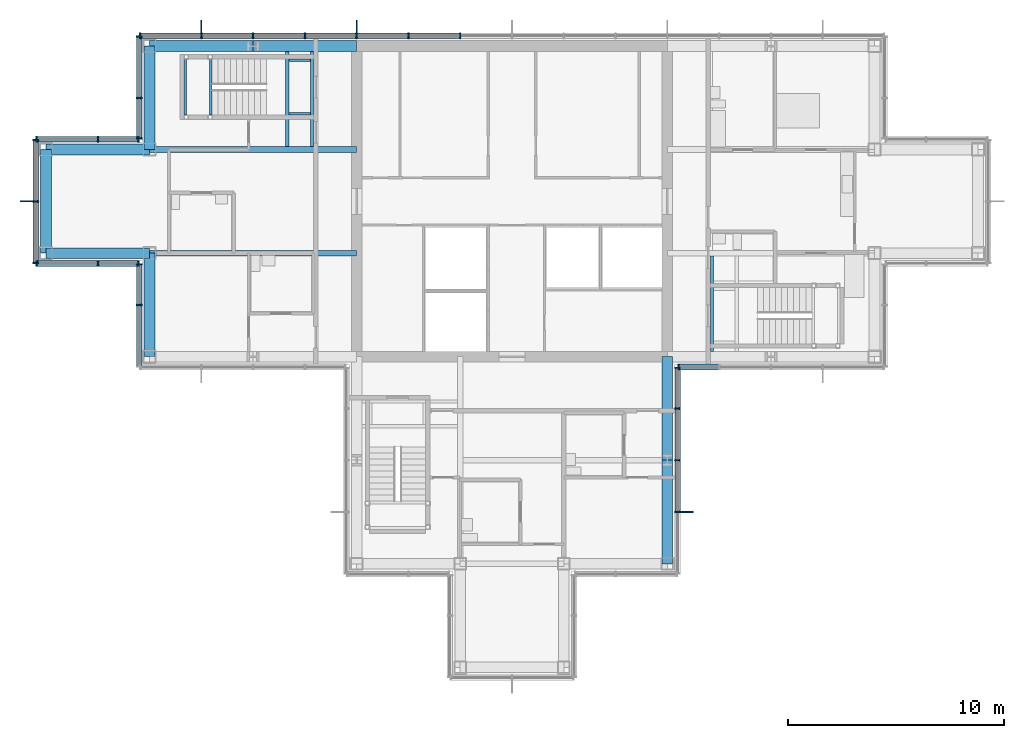
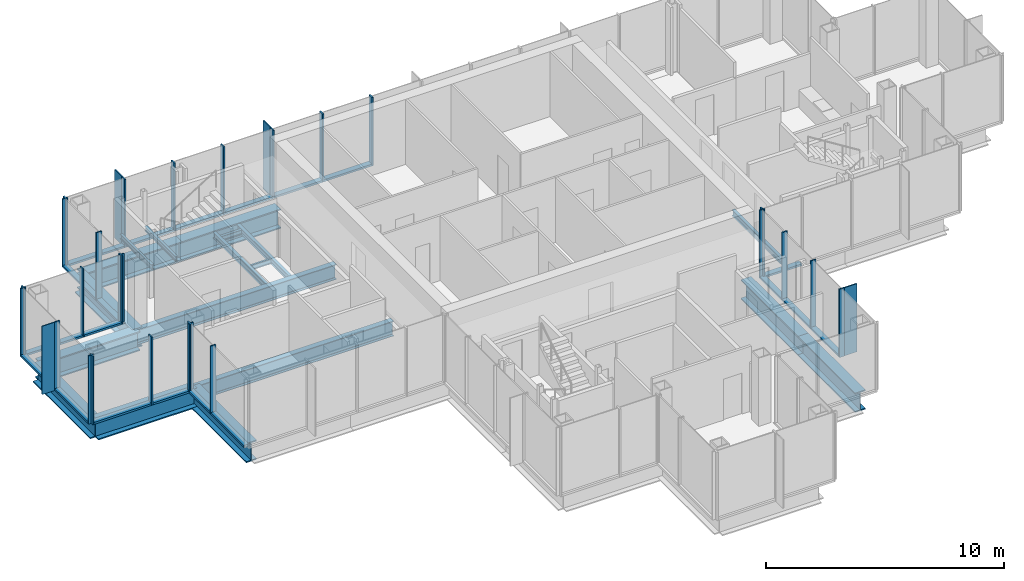
# One storey, part 6 of 15: 50 members, 18 beams, 8 elements without a shape of their own.
"""IFC4 building model written with IfcOpenShell, lengths in metres."""

from ifc_helpers import new_model, si_unit, direction, frame, origin, origin_2d, place, context, subcontext, project, spatial, rectangle, i_section, extrude, material, material_profile, profile_set, type_object, element, aggregate, save


model = new_model("IFC4")

# Units and contexts
model_context = context("Model", 3, precision=1e-05, world=origin(), true_north=direction((0.0, 1.0)))
body_context = subcontext(model_context, "Body", "Model", "MODEL_VIEW")
ifc_project = project(units=[si_unit("LENGTHUNIT", "METRE"), si_unit("AREAUNIT", "SQUARE_METRE"), si_unit("VOLUMEUNIT", "CUBIC_METRE"), si_unit("PLANEANGLEUNIT", "RADIAN"), si_unit("MASSUNIT", "GRAM", prefix="KILO")], contexts=[model_context])

# Site, building, storey
site_placement = place(None, origin())
site = spatial("IfcSite", under=ifc_project, at=site_placement, CompositionType="ELEMENT")
building_placement = place(site_placement, origin())
building = spatial("IfcBuilding", under=site, at=building_placement, Name="Kvirike Care Tower", CompositionType="ELEMENT")
storey_placement = place(building_placement, frame((0.0, 0.0, 229.5)))
storey = spatial("IfcBuildingStorey", under=building, at=storey_placement, Name="L63", CompositionType="ELEMENT", Elevation=229.5)

# Curtain wall, members
ifc_material_1 = material(Name="Anodised aluminium stick system", Category="aluminium")
curtain_wall_type = type_object("IfcCurtainWallType", Name="CW-D STICK CURTAIN WALL", PredefinedType="NOTDEFINED", material=ifc_material_1)
curtain_wall_1_placement = place(storey_placement, origin())
curtain_wall_1 = element("IfcCurtainWall", 1, at=curtain_wall_1_placement, inside=storey, type_object=curtain_wall_type, Name="Curtain wall L63 face 7", PredefinedType="NOTDEFINED")
ifc_material_2 = material(Name="Bronze anodised aluminium fin", Category="aluminium")
ifc_material_profile_1 = material_profile(ifc_material_2, rectangle(XDim=0.050048828125, YDim=0.60009765625, at=origin_2d()), Name="BRONZE FIN 600")
ifc_profile_set_1 = profile_set([ifc_material_profile_1], Name="Bronze anodised aluminium fin")
member_type_1 = type_object("IfcMemberType", Name="BRONZE FIN 600", PredefinedType="USERDEFINED", material=ifc_profile_set_1)
member_1_placement = place(storey_placement, frame((14.39990234375, 44.110107421875, 0.0), z_axis=(0.0, 0.0, 1.0), x_axis=(-1.0, 0.0, 0.0)))
member_1 = element("IfcMember", 2, at=member_1_placement, type_object=member_type_1, Name="Bronze fin L63 face 7.11", ObjectType="FIN", PredefinedType="USERDEFINED", context=body_context, shape_type="SweptSolid", body=[
    extrude(rectangle(XDim=0.050048828125, YDim=0.60009765625, at=origin_2d()), origin(), (0.0, 0.0, 1.0), 3.5),
])
member_2_placement = place(storey_placement, frame((7.199951171875, 44.110107421875, 0.0), z_axis=(0.0, 0.0, 1.0), x_axis=(-1.0, 0.0, 0.0)))
member_2 = element("IfcMember", 3, at=member_2_placement, type_object=member_type_1, Name="Bronze fin L63 face 7.14", ObjectType="FIN", PredefinedType="USERDEFINED", context=body_context, shape_type="SweptSolid", body=[
    extrude(rectangle(XDim=0.050048828125, YDim=0.60009765625, at=origin_2d()), origin(), (0.0, 0.0, 1.0), 3.5),
])

# Curtain wall, member
curtain_wall_2_placement = place(storey_placement, origin())
curtain_wall_2 = element("IfcCurtainWall", 4, at=curtain_wall_2_placement, inside=storey, type_object=curtain_wall_type, Name="Curtain wall L63 face 10", PredefinedType="NOTDEFINED")
member_3_placement = place(storey_placement, frame((-0.909912109375, 36.0, 0.0), z_axis=(0.0, 0.0, 1.0), x_axis=(0.0, -1.0, 0.0)))
member_3 = element("IfcMember", 5, at=member_3_placement, type_object=member_type_1, Name="Bronze fin L63 face 10.2", ObjectType="FIN", PredefinedType="USERDEFINED", context=body_context, shape_type="SweptSolid", body=[
    extrude(rectangle(XDim=0.050048828125, YDim=0.60009765625, at=origin_2d()), origin(), (0.0, 0.0, 1.0), 3.5),
])

curtain_wall_3_placement = place(storey_placement, origin())
curtain_wall_3 = element("IfcCurtainWall", 6, at=curtain_wall_3_placement, inside=storey, type_object=curtain_wall_type, Name="Curtain wall L63 face 20", PredefinedType="NOTDEFINED")
member_4_placement = place(storey_placement, frame((29.7099609375, 21.60009765625, 0.0), z_axis=(0.0, 0.0, 1.0), x_axis=(0.0, 1.0, 0.0)))
member_4 = element("IfcMember", 7, at=member_4_placement, type_object=member_type_1, Name="Bronze fin L63 face 20.2", ObjectType="FIN", PredefinedType="USERDEFINED", context=body_context, shape_type="SweptSolid", body=[
    extrude(rectangle(XDim=0.050048828125, YDim=0.60009765625, at=origin_2d()), origin(), (0.0, 0.0, 1.0), 3.5),
])

curtain_wall_4_placement = place(storey_placement, origin())
curtain_wall_4 = element("IfcCurtainWall", 8, at=curtain_wall_4_placement, inside=storey, type_object=curtain_wall_type, Name="Curtain wall L63 face 1", PredefinedType="NOTDEFINED")
ifc_material_3 = material(Name="Bronze anodised aluminium mullion", Category="aluminium")
ifc_material_profile_2 = material_profile(ifc_material_3, rectangle(XDim=0.06494140625, YDim=0.260009765625, at=origin_2d()), Name="CW-D MULLION 65x260")
ifc_profile_set_2 = profile_set([ifc_material_profile_2], Name="Bronze anodised aluminium mullion")
member_type_2 = type_object("IfcMemberType", Name="CW-D MULLION 65x260", PredefinedType="MULLION", material=ifc_profile_set_2)
member_5_placement = place(storey_placement, frame((29.3125, 28.320068359375, 0.0), z_axis=(0.0, 0.0, 1.0), x_axis=(1.0, 0.0, 0.0)))
member_5 = element("IfcMember", 9, at=member_5_placement, type_object=member_type_2, Name="CW-D mullion L63 face 1.1", PredefinedType="MULLION", context=body_context, shape_type="SweptSolid", body=[
    extrude(rectangle(XDim=0.06494140625, YDim=0.260009765625, at=origin_2d()), origin(), (0.0, 0.0, 1.0), 3.5),
])

# Member
member_6_placement = place(storey_placement, frame((19.199951171875, 43.679931640625, 0.0), z_axis=(0.0, 0.0, 1.0), x_axis=(-1.0, 0.0, 0.0)))
member_6 = element("IfcMember", 10, at=member_6_placement, type_object=member_type_2, Name="CW-D mullion L63 face 7.9", PredefinedType="MULLION", context=body_context, shape_type="SweptSolid", body=[
    extrude(rectangle(XDim=0.06494140625, YDim=0.260009765625, at=origin_2d()), origin(), (0.0, 0.0, 1.0), 3.5),
])

member_7_placement = place(storey_placement, frame((16.800048828125, 43.679931640625, 0.0), z_axis=(0.0, 0.0, 1.0), x_axis=(-1.0, 0.0, 0.0)))
member_7 = element("IfcMember", 11, at=member_7_placement, type_object=member_type_2, Name="CW-D mullion L63 face 7.10", PredefinedType="MULLION", context=body_context, shape_type="SweptSolid", body=[
    extrude(rectangle(XDim=0.06494140625, YDim=0.260009765625, at=origin_2d()), origin(), (0.0, 0.0, 1.0), 3.5),
])

member_8_placement = place(storey_placement, frame((14.39990234375, 43.679931640625, 0.0), z_axis=(0.0, 0.0, 1.0), x_axis=(-1.0, 0.0, 0.0)))
member_8 = element("IfcMember", 12, at=member_8_placement, type_object=member_type_2, Name="CW-D mullion L63 face 7.11", PredefinedType="MULLION", context=body_context, shape_type="SweptSolid", body=[
    extrude(rectangle(XDim=0.06494140625, YDim=0.260009765625, at=origin_2d()), origin(), (0.0, 0.0, 1.0), 3.5),
])

member_9_placement = place(storey_placement, frame((12.0, 43.679931640625, 0.0), z_axis=(0.0, 0.0, 1.0), x_axis=(-1.0, 0.0, 0.0)))
member_9 = element("IfcMember", 13, at=member_9_placement, type_object=member_type_2, Name="CW-D mullion L63 face 7.12", PredefinedType="MULLION", context=body_context, shape_type="SweptSolid", body=[
    extrude(rectangle(XDim=0.06494140625, YDim=0.260009765625, at=origin_2d()), origin(), (0.0, 0.0, 1.0), 3.5),
])

member_10_placement = place(storey_placement, frame((9.60009765625, 43.679931640625, 0.0), z_axis=(0.0, 0.0, 1.0), x_axis=(-1.0, 0.0, 0.0)))
member_10 = element("IfcMember", 14, at=member_10_placement, type_object=member_type_2, Name="CW-D mullion L63 face 7.13", PredefinedType="MULLION", context=body_context, shape_type="SweptSolid", body=[
    extrude(rectangle(XDim=0.06494140625, YDim=0.260009765625, at=origin_2d()), origin(), (0.0, 0.0, 1.0), 3.5),
])

member_11_placement = place(storey_placement, frame((7.199951171875, 43.679931640625, 0.0), z_axis=(0.0, 0.0, 1.0), x_axis=(-1.0, 0.0, 0.0)))
member_11 = element("IfcMember", 15, at=member_11_placement, type_object=member_type_2, Name="CW-D mullion L63 face 7.14", PredefinedType="MULLION", context=body_context, shape_type="SweptSolid", body=[
    extrude(rectangle(XDim=0.06494140625, YDim=0.260009765625, at=origin_2d()), origin(), (0.0, 0.0, 1.0), 3.5),
])

member_12_placement = place(storey_placement, frame((4.3525390625, 43.679931640625, 0.0), z_axis=(0.0, 0.0, 1.0), x_axis=(-1.0, 0.0, 0.0)))
member_12 = element("IfcMember", 16, at=member_12_placement, type_object=member_type_2, Name="CW-D mullion L63 face 7.15", PredefinedType="MULLION", context=body_context, shape_type="SweptSolid", body=[
    extrude(rectangle(XDim=0.06494140625, YDim=0.260009765625, at=origin_2d()), origin(), (0.0, 0.0, 1.0), 3.5),
])

# Curtain wall, members
curtain_wall_5_placement = place(storey_placement, origin())
curtain_wall_5 = element("IfcCurtainWall", 17, at=curtain_wall_5_placement, inside=storey, type_object=curtain_wall_type, Name="Curtain wall L63 face 8", PredefinedType="NOTDEFINED")
member_13_placement = place(storey_placement, frame((4.320068359375, 43.6474609375, 0.0), z_axis=(0.0, 0.0, 1.0), x_axis=(0.0, -1.0, 0.0)))
member_13 = element("IfcMember", 18, at=member_13_placement, type_object=member_type_2, Name="CW-D mullion L63 face 8.1", PredefinedType="MULLION", context=body_context, shape_type="SweptSolid", body=[
    extrude(rectangle(XDim=0.06494140625, YDim=0.260009765625, at=origin_2d()), origin(), (0.0, 0.0, 1.0), 3.5),
])
member_14_placement = place(storey_placement, frame((4.320068359375, 40.800048828125, 0.0), z_axis=(0.0, 0.0, 1.0), x_axis=(0.0, -1.0, 0.0)))
member_14 = element("IfcMember", 19, at=member_14_placement, type_object=member_type_2, Name="CW-D mullion L63 face 8.2", PredefinedType="MULLION", context=body_context, shape_type="SweptSolid", body=[
    extrude(rectangle(XDim=0.06494140625, YDim=0.260009765625, at=origin_2d()), origin(), (0.0, 0.0, 1.0), 3.5),
])
member_15_placement = place(storey_placement, frame((4.320068359375, 38.91259765625, 0.0), z_axis=(0.0, 0.0, 1.0), x_axis=(0.0, -1.0, 0.0)))
member_15 = element("IfcMember", 20, at=member_15_placement, type_object=member_type_2, Name="CW-D mullion L63 face 8.3", PredefinedType="MULLION", context=body_context, shape_type="SweptSolid", body=[
    extrude(rectangle(XDim=0.06494140625, YDim=0.260009765625, at=origin_2d()), origin(), (0.0, 0.0, 1.0), 3.5),
])

curtain_wall_6_placement = place(storey_placement, origin())
curtain_wall_6 = element("IfcCurtainWall", 21, at=curtain_wall_6_placement, inside=storey, type_object=curtain_wall_type, Name="Curtain wall L63 face 9", PredefinedType="NOTDEFINED")
member_16_placement = place(storey_placement, frame((4.28759765625, 38.8798828125, 0.0), z_axis=(0.0, 0.0, 1.0), x_axis=(-1.0, 0.0, 0.0)))
member_16 = element("IfcMember", 22, at=member_16_placement, type_object=member_type_2, Name="CW-D mullion L63 face 9.1", PredefinedType="MULLION", context=body_context, shape_type="SweptSolid", body=[
    extrude(rectangle(XDim=0.06494140625, YDim=0.260009765625, at=origin_2d()), origin(), (0.0, 0.0, 1.0), 3.5),
])
member_17_placement = place(storey_placement, frame((2.39990234375, 38.8798828125, 0.0), z_axis=(0.0, 0.0, 1.0), x_axis=(-1.0, 0.0, 0.0)))
member_17 = element("IfcMember", 23, at=member_17_placement, type_object=member_type_2, Name="CW-D mullion L63 face 9.2", PredefinedType="MULLION", context=body_context, shape_type="SweptSolid", body=[
    extrude(rectangle(XDim=0.06494140625, YDim=0.260009765625, at=origin_2d()), origin(), (0.0, 0.0, 1.0), 3.5),
])
member_18_placement = place(storey_placement, frame((-0.447509765625, 38.8798828125, 0.0), z_axis=(0.0, 0.0, 1.0), x_axis=(-1.0, 0.0, 0.0)))
member_18 = element("IfcMember", 24, at=member_18_placement, type_object=member_type_2, Name="CW-D mullion L63 face 9.3", PredefinedType="MULLION", context=body_context, shape_type="SweptSolid", body=[
    extrude(rectangle(XDim=0.06494140625, YDim=0.260009765625, at=origin_2d()), origin(), (0.0, 0.0, 1.0), 3.5),
])

# Member
member_19_placement = place(storey_placement, frame((-0.47998046875, 38.847412109375, 0.0), z_axis=(0.0, 0.0, 1.0), x_axis=(0.0, -1.0, 0.0)))
member_19 = element("IfcMember", 25, at=member_19_placement, type_object=member_type_2, Name="CW-D mullion L63 face 10.1", PredefinedType="MULLION", context=body_context, shape_type="SweptSolid", body=[
    extrude(rectangle(XDim=0.06494140625, YDim=0.260009765625, at=origin_2d()), origin(), (0.0, 0.0, 1.0), 3.5),
])

member_20_placement = place(storey_placement, frame((-0.47998046875, 36.0, 0.0), z_axis=(0.0, 0.0, 1.0), x_axis=(0.0, -1.0, 0.0)))
member_20 = element("IfcMember", 26, at=member_20_placement, type_object=member_type_2, Name="CW-D mullion L63 face 10.2", PredefinedType="MULLION", context=body_context, shape_type="SweptSolid", body=[
    extrude(rectangle(XDim=0.06494140625, YDim=0.260009765625, at=origin_2d()), origin(), (0.0, 0.0, 1.0), 3.5),
])

member_21_placement = place(storey_placement, frame((-0.47998046875, 33.152587890625, 0.0), z_axis=(0.0, 0.0, 1.0), x_axis=(0.0, -1.0, 0.0)))
member_21 = element("IfcMember", 27, at=member_21_placement, type_object=member_type_2, Name="CW-D mullion L63 face 10.3", PredefinedType="MULLION", context=body_context, shape_type="SweptSolid", body=[
    extrude(rectangle(XDim=0.06494140625, YDim=0.260009765625, at=origin_2d()), origin(), (0.0, 0.0, 1.0), 3.5),
])

# Curtain wall, members
curtain_wall_7_placement = place(storey_placement, origin())
curtain_wall_7 = element("IfcCurtainWall", 28, at=curtain_wall_7_placement, inside=storey, type_object=curtain_wall_type, Name="Curtain wall L63 face 11", PredefinedType="NOTDEFINED")
member_22_placement = place(storey_placement, frame((-0.447509765625, 33.1201171875, 0.0), z_axis=(0.0, 0.0, 1.0), x_axis=(1.0, 0.0, 0.0)))
member_22 = element("IfcMember", 29, at=member_22_placement, type_object=member_type_2, Name="CW-D mullion L63 face 11.1", PredefinedType="MULLION", context=body_context, shape_type="SweptSolid", body=[
    extrude(rectangle(XDim=0.06494140625, YDim=0.260009765625, at=origin_2d()), origin(), (0.0, 0.0, 1.0), 3.5),
])
member_23_placement = place(storey_placement, frame((2.39990234375, 33.1201171875, 0.0), z_axis=(0.0, 0.0, 1.0), x_axis=(1.0, 0.0, 0.0)))
member_23 = element("IfcMember", 30, at=member_23_placement, type_object=member_type_2, Name="CW-D mullion L63 face 11.2", PredefinedType="MULLION", context=body_context, shape_type="SweptSolid", body=[
    extrude(rectangle(XDim=0.06494140625, YDim=0.260009765625, at=origin_2d()), origin(), (0.0, 0.0, 1.0), 3.5),
])
member_24_placement = place(storey_placement, frame((4.28759765625, 33.1201171875, 0.0), z_axis=(0.0, 0.0, 1.0), x_axis=(1.0, 0.0, 0.0)))
member_24 = element("IfcMember", 31, at=member_24_placement, type_object=member_type_2, Name="CW-D mullion L63 face 11.3", PredefinedType="MULLION", context=body_context, shape_type="SweptSolid", body=[
    extrude(rectangle(XDim=0.06494140625, YDim=0.260009765625, at=origin_2d()), origin(), (0.0, 0.0, 1.0), 3.5),
])

curtain_wall_8_placement = place(storey_placement, origin())
curtain_wall_8 = element("IfcCurtainWall", 32, at=curtain_wall_8_placement, inside=storey, type_object=curtain_wall_type, Name="Curtain wall L63 face 12", PredefinedType="NOTDEFINED")
member_25_placement = place(storey_placement, frame((4.320068359375, 33.08740234375, 0.0), z_axis=(0.0, 0.0, 1.0), x_axis=(0.0, -1.0, 0.0)))
member_25 = element("IfcMember", 33, at=member_25_placement, type_object=member_type_2, Name="CW-D mullion L63 face 12.1", PredefinedType="MULLION", context=body_context, shape_type="SweptSolid", body=[
    extrude(rectangle(XDim=0.06494140625, YDim=0.260009765625, at=origin_2d()), origin(), (0.0, 0.0, 1.0), 3.5),
])
member_26_placement = place(storey_placement, frame((4.320068359375, 31.199951171875, 0.0), z_axis=(0.0, 0.0, 1.0), x_axis=(0.0, -1.0, 0.0)))
member_26 = element("IfcMember", 34, at=member_26_placement, type_object=member_type_2, Name="CW-D mullion L63 face 12.2", PredefinedType="MULLION", context=body_context, shape_type="SweptSolid", body=[
    extrude(rectangle(XDim=0.06494140625, YDim=0.260009765625, at=origin_2d()), origin(), (0.0, 0.0, 1.0), 3.5),
])

# Member
member_27_placement = place(storey_placement, frame((29.280029296875, 21.60009765625, 0.0), z_axis=(0.0, 0.0, 1.0), x_axis=(0.0, 1.0, 0.0)))
member_27 = element("IfcMember", 35, at=member_27_placement, type_object=member_type_2, Name="CW-D mullion L63 face 20.2", PredefinedType="MULLION", context=body_context, shape_type="SweptSolid", body=[
    extrude(rectangle(XDim=0.06494140625, YDim=0.260009765625, at=origin_2d()), origin(), (0.0, 0.0, 1.0), 3.5),
])

member_28_placement = place(storey_placement, frame((29.280029296875, 24.0, 0.0), z_axis=(0.0, 0.0, 1.0), x_axis=(0.0, 1.0, 0.0)))
member_28 = element("IfcMember", 36, at=member_28_placement, type_object=member_type_2, Name="CW-D mullion L63 face 20.3", PredefinedType="MULLION", context=body_context, shape_type="SweptSolid", body=[
    extrude(rectangle(XDim=0.06494140625, YDim=0.260009765625, at=origin_2d()), origin(), (0.0, 0.0, 1.0), 3.5),
])

member_29_placement = place(storey_placement, frame((29.280029296875, 26.39990234375, 0.0), z_axis=(0.0, 0.0, 1.0), x_axis=(0.0, 1.0, 0.0)))
member_29 = element("IfcMember", 37, at=member_29_placement, type_object=member_type_2, Name="CW-D mullion L63 face 20.4", PredefinedType="MULLION", context=body_context, shape_type="SweptSolid", body=[
    extrude(rectangle(XDim=0.06494140625, YDim=0.260009765625, at=origin_2d()), origin(), (0.0, 0.0, 1.0), 3.5),
])

member_30_placement = place(storey_placement, frame((29.280029296875, 28.28759765625, 0.0), z_axis=(0.0, 0.0, 1.0), x_axis=(0.0, 1.0, 0.0)))
member_30 = element("IfcMember", 38, at=member_30_placement, type_object=member_type_2, Name="CW-D mullion L63 face 20.5", PredefinedType="MULLION", context=body_context, shape_type="SweptSolid", body=[
    extrude(rectangle(XDim=0.06494140625, YDim=0.260009765625, at=origin_2d()), origin(), (0.0, 0.0, 1.0), 3.5),
])

ifc_material_4 = material(Name="Bronze anodised aluminium transom", Category="aluminium")
ifc_material_profile_3 = material_profile(ifc_material_4, rectangle(XDim=0.260009765625, YDim=0.10009765625, at=origin_2d()), Name="CW-D TRANSOM 260x100")
ifc_profile_set_3 = profile_set([ifc_material_profile_3], Name="Bronze anodised aluminium transom")
member_type_3 = type_object("IfcMemberType", Name="CW-D TRANSOM 260x100", PredefinedType="USERDEFINED", material=ifc_profile_set_3)
member_31_placement = place(storey_placement, frame((29.344970703125, 28.320068359375, 0.050048828125), z_axis=(1.0, 0.0, 0.0), x_axis=(0.0, 1.0, 0.0)))
member_31 = element("IfcMember", 39, at=member_31_placement, type_object=member_type_3, Name="CW-D sill transom L63 face 1.1", ObjectType="TRANSOM", PredefinedType="USERDEFINED", context=body_context, shape_type="SweptSolid", body=[
    extrude(rectangle(XDim=0.260009765625, YDim=0.10009765625, at=origin_2d()), origin(), (0.0, 0.0, 1.0), 1.822509765625),
])

aggregate(curtain_wall_4, [member_5, member_31])

member_32_placement = place(storey_placement, frame((19.16748046875, 43.679931640625, 0.050048828125), z_axis=(-1.0, 0.0, 0.0), x_axis=(0.0, -1.0, 0.0)))
member_32 = element("IfcMember", 40, at=member_32_placement, type_object=member_type_3, Name="CW-D sill transom L63 face 7.9", ObjectType="TRANSOM", PredefinedType="USERDEFINED", context=body_context, shape_type="SweptSolid", body=[
    extrude(rectangle(XDim=0.260009765625, YDim=0.10009765625, at=origin_2d()), origin(), (0.0, 0.0, 1.0), 2.3349609375),
])

member_33_placement = place(storey_placement, frame((16.767578125, 43.679931640625, 0.050048828125), z_axis=(-1.0, 0.0, 0.0), x_axis=(0.0, -1.0, 0.0)))
member_33 = element("IfcMember", 41, at=member_33_placement, type_object=member_type_3, Name="CW-D sill transom L63 face 7.10", ObjectType="TRANSOM", PredefinedType="USERDEFINED", context=body_context, shape_type="SweptSolid", body=[
    extrude(rectangle(XDim=0.260009765625, YDim=0.10009765625, at=origin_2d()), origin(), (0.0, 0.0, 1.0), 2.3349609375),
])

member_34_placement = place(storey_placement, frame((14.367431640625, 43.679931640625, 0.050048828125), z_axis=(-1.0, 0.0, 0.0), x_axis=(0.0, -1.0, 0.0)))
member_34 = element("IfcMember", 42, at=member_34_placement, type_object=member_type_3, Name="CW-D sill transom L63 face 7.11", ObjectType="TRANSOM", PredefinedType="USERDEFINED", context=body_context, shape_type="SweptSolid", body=[
    extrude(rectangle(XDim=0.260009765625, YDim=0.10009765625, at=origin_2d()), origin(), (0.0, 0.0, 1.0), 2.3349609375),
])

member_35_placement = place(storey_placement, frame((11.967529296875, 43.679931640625, 0.050048828125), z_axis=(-1.0, 0.0, 0.0), x_axis=(0.0, -1.0, 0.0)))
member_35 = element("IfcMember", 43, at=member_35_placement, type_object=member_type_3, Name="CW-D sill transom L63 face 7.12", ObjectType="TRANSOM", PredefinedType="USERDEFINED", context=body_context, shape_type="SweptSolid", body=[
    extrude(rectangle(XDim=0.260009765625, YDim=0.10009765625, at=origin_2d()), origin(), (0.0, 0.0, 1.0), 2.3349609375),
])

member_36_placement = place(storey_placement, frame((9.5673828125, 43.679931640625, 0.050048828125), z_axis=(-1.0, 0.0, 0.0), x_axis=(0.0, -1.0, 0.0)))
member_36 = element("IfcMember", 44, at=member_36_placement, type_object=member_type_3, Name="CW-D sill transom L63 face 7.13", ObjectType="TRANSOM", PredefinedType="USERDEFINED", context=body_context, shape_type="SweptSolid", body=[
    extrude(rectangle(XDim=0.260009765625, YDim=0.10009765625, at=origin_2d()), origin(), (0.0, 0.0, 1.0), 2.3349609375),
])

member_37_placement = place(storey_placement, frame((7.16748046875, 43.679931640625, 0.050048828125), z_axis=(-1.0, 0.0, 0.0), x_axis=(0.0, -1.0, 0.0)))
member_37 = element("IfcMember", 45, at=member_37_placement, type_object=member_type_3, Name="CW-D sill transom L63 face 7.14", ObjectType="TRANSOM", PredefinedType="USERDEFINED", context=body_context, shape_type="SweptSolid", body=[
    extrude(rectangle(XDim=0.260009765625, YDim=0.10009765625, at=origin_2d()), origin(), (0.0, 0.0, 1.0), 2.782470703125),
])

aggregate(curtain_wall_1, [member_6, member_7, member_8, member_1, member_9, member_10, member_11, member_2, member_12, member_32, member_33, member_34, member_35, member_36, member_37])

member_38_placement = place(storey_placement, frame((4.320068359375, 43.614990234375, 0.050048828125), z_axis=(0.0, -1.0, 0.0), x_axis=(1.0, 0.0, 0.0)))
member_38 = element("IfcMember", 46, at=member_38_placement, type_object=member_type_3, Name="CW-D sill transom L63 face 8.1", ObjectType="TRANSOM", PredefinedType="USERDEFINED", context=body_context, shape_type="SweptSolid", body=[
    extrude(rectangle(XDim=0.260009765625, YDim=0.10009765625, at=origin_2d()), origin(), (0.0, 0.0, 1.0), 2.782470703125),
])

member_39_placement = place(storey_placement, frame((4.320068359375, 40.767578125, 0.050048828125), z_axis=(0.0, -1.0, 0.0), x_axis=(1.0, 0.0, 0.0)))
member_39 = element("IfcMember", 47, at=member_39_placement, type_object=member_type_3, Name="CW-D sill transom L63 face 8.2", ObjectType="TRANSOM", PredefinedType="USERDEFINED", context=body_context, shape_type="SweptSolid", body=[
    extrude(rectangle(XDim=0.260009765625, YDim=0.10009765625, at=origin_2d()), origin(), (0.0, 0.0, 1.0), 1.822509765625),
])

aggregate(curtain_wall_5, [member_13, member_14, member_15, member_38, member_39])

member_40_placement = place(storey_placement, frame((4.2548828125, 38.8798828125, 0.050048828125), z_axis=(-1.0, 0.0, 0.0), x_axis=(0.0, -1.0, 0.0)))
member_40 = element("IfcMember", 48, at=member_40_placement, type_object=member_type_3, Name="CW-D sill transom L63 face 9.1", ObjectType="TRANSOM", PredefinedType="USERDEFINED", context=body_context, shape_type="SweptSolid", body=[
    extrude(rectangle(XDim=0.260009765625, YDim=0.10009765625, at=origin_2d()), origin(), (0.0, 0.0, 1.0), 1.822265625),
])

member_41_placement = place(storey_placement, frame((2.367431640625, 38.8798828125, 0.050048828125), z_axis=(-1.0, 0.0, 0.0), x_axis=(0.0, -1.0, 0.0)))
member_41 = element("IfcMember", 49, at=member_41_placement, type_object=member_type_3, Name="CW-D sill transom L63 face 9.2", ObjectType="TRANSOM", PredefinedType="USERDEFINED", context=body_context, shape_type="SweptSolid", body=[
    extrude(rectangle(XDim=0.260009765625, YDim=0.10009765625, at=origin_2d()), origin(), (0.0, 0.0, 1.0), 2.782470703125),
])

aggregate(curtain_wall_6, [member_16, member_17, member_18, member_40, member_41])

member_42_placement = place(storey_placement, frame((-0.47998046875, 38.81494140625, 0.050048828125), z_axis=(0.0, -1.0, 0.0), x_axis=(1.0, 0.0, 0.0)))
member_42 = element("IfcMember", 50, at=member_42_placement, type_object=member_type_3, Name="CW-D sill transom L63 face 10.1", ObjectType="TRANSOM", PredefinedType="USERDEFINED", context=body_context, shape_type="SweptSolid", body=[
    extrude(rectangle(XDim=0.260009765625, YDim=0.10009765625, at=origin_2d()), origin(), (0.0, 0.0, 1.0), 2.782470703125),
])

member_43_placement = place(storey_placement, frame((-0.47998046875, 35.967529296875, 0.050048828125), z_axis=(0.0, -1.0, 0.0), x_axis=(1.0, 0.0, 0.0)))
member_43 = element("IfcMember", 51, at=member_43_placement, type_object=member_type_3, Name="CW-D sill transom L63 face 10.2", ObjectType="TRANSOM", PredefinedType="USERDEFINED", context=body_context, shape_type="SweptSolid", body=[
    extrude(rectangle(XDim=0.260009765625, YDim=0.10009765625, at=origin_2d()), origin(), (0.0, 0.0, 1.0), 2.782470703125),
])

aggregate(curtain_wall_2, [member_19, member_20, member_3, member_21, member_42, member_43])

member_44_placement = place(storey_placement, frame((-0.4150390625, 33.1201171875, 0.050048828125), z_axis=(1.0, 0.0, 0.0), x_axis=(0.0, 1.0, 0.0)))
member_44 = element("IfcMember", 52, at=member_44_placement, type_object=member_type_3, Name="CW-D sill transom L63 face 11.1", ObjectType="TRANSOM", PredefinedType="USERDEFINED", context=body_context, shape_type="SweptSolid", body=[
    extrude(rectangle(XDim=0.260009765625, YDim=0.10009765625, at=origin_2d()), origin(), (0.0, 0.0, 1.0), 2.782470703125),
])

member_45_placement = place(storey_placement, frame((2.4326171875, 33.1201171875, 0.050048828125), z_axis=(1.0, 0.0, 0.0), x_axis=(0.0, 1.0, 0.0)))
member_45 = element("IfcMember", 53, at=member_45_placement, type_object=member_type_3, Name="CW-D sill transom L63 face 11.2", ObjectType="TRANSOM", PredefinedType="USERDEFINED", context=body_context, shape_type="SweptSolid", body=[
    extrude(rectangle(XDim=0.260009765625, YDim=0.10009765625, at=origin_2d()), origin(), (0.0, 0.0, 1.0), 1.822265625),
])

aggregate(curtain_wall_7, [member_22, member_23, member_24, member_44, member_45])

member_46_placement = place(storey_placement, frame((4.320068359375, 33.054931640625, 0.050048828125), z_axis=(0.0, -1.0, 0.0), x_axis=(1.0, 0.0, 0.0)))
member_46 = element("IfcMember", 54, at=member_46_placement, type_object=member_type_3, Name="CW-D sill transom L63 face 12.1", ObjectType="TRANSOM", PredefinedType="USERDEFINED", context=body_context, shape_type="SweptSolid", body=[
    extrude(rectangle(XDim=0.260009765625, YDim=0.10009765625, at=origin_2d()), origin(), (0.0, 0.0, 1.0), 1.822509765625),
])

member_47_placement = place(storey_placement, frame((4.320068359375, 31.16748046875, 0.050048828125), z_axis=(0.0, -1.0, 0.0), x_axis=(1.0, 0.0, 0.0)))
member_47 = element("IfcMember", 55, at=member_47_placement, type_object=member_type_3, Name="CW-D sill transom L63 face 12.2", ObjectType="TRANSOM", PredefinedType="USERDEFINED", context=body_context, shape_type="SweptSolid", body=[
    extrude(rectangle(XDim=0.260009765625, YDim=0.10009765625, at=origin_2d()), origin(), (0.0, 0.0, 1.0), 2.782470703125),
])

aggregate(curtain_wall_8, [member_25, member_26, member_46, member_47])

member_48_placement = place(storey_placement, frame((29.280029296875, 21.632568359375, 0.050048828125), z_axis=(0.0, 1.0, 0.0), x_axis=(-1.0, 0.0, 0.0)))
member_48 = element("IfcMember", 56, at=member_48_placement, type_object=member_type_3, Name="CW-D sill transom L63 face 20.2", ObjectType="TRANSOM", PredefinedType="USERDEFINED", context=body_context, shape_type="SweptSolid", body=[
    extrude(rectangle(XDim=0.260009765625, YDim=0.10009765625, at=origin_2d()), origin(), (0.0, 0.0, 1.0), 2.3349609375),
])

member_49_placement = place(storey_placement, frame((29.280029296875, 24.032470703125, 0.050048828125), z_axis=(0.0, 1.0, 0.0), x_axis=(-1.0, 0.0, 0.0)))
member_49 = element("IfcMember", 57, at=member_49_placement, type_object=member_type_3, Name="CW-D sill transom L63 face 20.3", ObjectType="TRANSOM", PredefinedType="USERDEFINED", context=body_context, shape_type="SweptSolid", body=[
    extrude(rectangle(XDim=0.260009765625, YDim=0.10009765625, at=origin_2d()), origin(), (0.0, 0.0, 1.0), 2.3349609375),
])

member_50_placement = place(storey_placement, frame((29.280029296875, 26.4326171875, 0.050048828125), z_axis=(0.0, 1.0, 0.0), x_axis=(-1.0, 0.0, 0.0)))
member_50 = element("IfcMember", 58, at=member_50_placement, type_object=member_type_3, Name="CW-D sill transom L63 face 20.4", ObjectType="TRANSOM", PredefinedType="USERDEFINED", context=body_context, shape_type="SweptSolid", body=[
    extrude(rectangle(XDim=0.260009765625, YDim=0.10009765625, at=origin_2d()), origin(), (0.0, 0.0, 1.0), 1.822265625),
])

aggregate(curtain_wall_3, [member_27, member_4, member_28, member_29, member_30, member_48, member_49, member_50])

# Beams
ifc_material_5 = material(Name="Steel S355", Category="steel")
ifc_material_profile_4 = material_profile(ifc_material_5, i_section(OverallWidth=0.26806640625, OverallDepth=0.77001953125, WebThickness=0.015625, FlangeThickness=0.025390625, FilletRadius=0.01708984375, at=origin_2d()), Name="IPE 750x196")
ifc_profile_set_4 = profile_set([ifc_material_profile_4], Name="Steel S355")
beam_type_1 = type_object("IfcBeamType", Name="FLOOR BEAM IPE 750x196", PredefinedType="BEAM", material=ifc_profile_set_4)
for number, where, z_axis, x_axis, name in (
    (59, (4.800048828125, 33.60009765625, -0.554931640625), (1.0, 0.0, 0.0), (0.0, 1.0, 0.0), "Floor Beam H4-H6 L63"),
    (60, (4.800048828125, 38.39990234375, -0.554931640625), (1.0, 0.0, 0.0), (0.0, 1.0, 0.0), "Floor Beam J4-J6 L63"),
):
    element("IfcBeam", number, at=place(storey_placement, frame(where, z_axis=z_axis, x_axis=x_axis)), inside=storey, type_object=beam_type_1, Name=name, PredefinedType="BEAM", context=body_context, shape_type="SweptSolid", body=[
        extrude(i_section(OverallWidth=0.26806640625, OverallDepth=0.77001953125, WebThickness=0.015625, FlangeThickness=0.025390625, FilletRadius=0.01708984375, at=origin_2d()), origin(), (0.0, 0.0, 1.0), 9.599853515625),
    ])
ifc_material_6 = material(Name="Steel S355", Category="steel")
ifc_material_profile_5 = material_profile(ifc_material_6, i_section(OverallWidth=0.5, OverallDepth=1.0, WebThickness=0.030029296875, FlangeThickness=0.06005859375, at=origin_2d()), Name="PG 1000x500x30x60")
ifc_profile_set_5 = profile_set([ifc_material_profile_5], Name="Steel S355")
beam_type_2 = type_object("IfcBeamType", Name="SPANDREL PG 1000x500x30x60", PredefinedType="SPANDREL", material=ifc_profile_set_5)
for number, where, z_axis, x_axis, name in (
    (61, (0.0, 33.60009765625, -0.669921875), (1.0, 0.0, 0.0), (0.0, 1.0, 0.0), "Spandrel H3-H4 L63"),
    (62, (0.0, 38.39990234375, -0.669921875), (1.0, 0.0, 0.0), (0.0, 1.0, 0.0), "Spandrel J3-J4 L63"),
    (63, (4.800048828125, 43.199951171875, -0.669921875), (1.0, 0.0, 0.0), (0.0, 1.0, 0.0), "Spandrel K4-K5 L63"),
):
    element("IfcBeam", number, at=place(storey_placement, frame(where, z_axis=z_axis, x_axis=x_axis)), inside=storey, type_object=beam_type_2, Name=name, PredefinedType="SPANDREL", context=body_context, shape_type="SweptSolid", body=[
        extrude(i_section(OverallWidth=0.5, OverallDepth=1.0, WebThickness=0.030029296875, FlangeThickness=0.06005859375, at=origin_2d()), origin(), (0.0, 0.0, 1.0), 4.800048828125),
    ])
for number, where, z_axis, x_axis, name in (
    (64, (9.60009765625, 43.199951171875, -0.669921875), (1.0, 0.0, 0.0), (0.0, 1.0, 0.0), "Spandrel K5-K6 L63"),
    (65, (0.0, 33.60009765625, -0.669921875), (0.0, 1.0, 0.0), (-1.0, 0.0, 0.0), "Spandrel H3-J3 L63"),
):
    element("IfcBeam", number, at=place(storey_placement, frame(where, z_axis=z_axis, x_axis=x_axis)), inside=storey, type_object=beam_type_2, Name=name, PredefinedType="SPANDREL", context=body_context, shape_type="SweptSolid", body=[
        extrude(i_section(OverallWidth=0.5, OverallDepth=1.0, WebThickness=0.030029296875, FlangeThickness=0.06005859375, at=origin_2d()), origin(), (0.0, 0.0, 1.0), 4.7998046875),
    ])
for number, where, z_axis, x_axis, name in (
    (66, (4.800048828125, 28.800048828125, -0.669921875), (0.0, 1.0, 0.0), (-1.0, 0.0, 0.0), "Spandrel G4-H4 L63"),
    (67, (4.800048828125, 38.39990234375, -0.669921875), (0.0, 1.0, 0.0), (-1.0, 0.0, 0.0), "Spandrel J4-K4 L63"),
    (68, (28.800048828125, 19.199951171875, -0.669921875), (0.0, 1.0, 0.0), (-1.0, 0.0, 0.0), "Spandrel E9-F9 L63"),
    (69, (28.800048828125, 24.0, -0.669921875), (0.0, 1.0, 0.0), (-1.0, 0.0, 0.0), "Spandrel F9-G9 L63"),
):
    element("IfcBeam", number, at=place(storey_placement, frame(where, z_axis=z_axis, x_axis=x_axis)), inside=storey, type_object=beam_type_2, Name=name, PredefinedType="SPANDREL", context=body_context, shape_type="SweptSolid", body=[
        extrude(i_section(OverallWidth=0.5, OverallDepth=1.0, WebThickness=0.030029296875, FlangeThickness=0.06005859375, at=origin_2d()), origin(), (0.0, 0.0, 1.0), 4.800048828125),
    ])
ifc_material_7 = material(Name="Steel S355", Category="steel")
ifc_material_profile_6 = material_profile(ifc_material_7, i_section(OverallWidth=0.1201171875, OverallDepth=0.239990234375, WebThickness=0.006103515625, FlangeThickness=0.009765625, FilletRadius=0.014892578125, at=origin_2d()), Name="IPE 240")
ifc_profile_set_6 = profile_set([ifc_material_profile_6], Name="Steel S355")
beam_type_3 = type_object("IfcBeamType", Name="STAIR LANDING BEAM IPE 240", PredefinedType="BEAM", material=ifc_profile_set_6)
for number, where, z_axis, x_axis, name in (
    (70, (6.4599609375, 42.60009765625, 1.429931640625), (0.0, -1.0, 0.0), (1.0, 0.0, 0.0), "Stair 1 landing beam back L63"),
    (71, (7.639892578125, 42.60009765625, 1.429931640625), (0.0, -1.0, 0.0), (1.0, 0.0, 0.0), "Stair 1 landing beam front L63"),
):
    element("IfcBeam", number, at=place(storey_placement, frame(where, z_axis=z_axis, x_axis=x_axis)), inside=storey, type_object=beam_type_3, Name=name, PredefinedType="BEAM", context=body_context, shape_type="SweptSolid", body=[
        extrude(i_section(OverallWidth=0.1201171875, OverallDepth=0.239990234375, WebThickness=0.006103515625, FlangeThickness=0.009765625, FilletRadius=0.014892578125, at=origin_2d()), origin(), (0.0, 0.0, 1.0), 2.60009765625),
    ])
for number, where, z_axis, x_axis, name in (
    (72, (11.25, 42.5400390625, -0.320068359375), (1.0, 0.0, 0.0), (0.0, 1.0, 0.0), "Stair 1 landing edge beam 1 L63"),
    (73, (11.25, 40.06005859375, -0.320068359375), (1.0, 0.0, 0.0), (0.0, 1.0, 0.0), "Stair 1 landing edge beam 2 L63"),
):
    element("IfcBeam", number, at=place(storey_placement, frame(where, z_axis=z_axis, x_axis=x_axis)), inside=storey, type_object=beam_type_3, Name=name, PredefinedType="BEAM", context=body_context, shape_type="SweptSolid", body=[
        extrude(i_section(OverallWidth=0.1201171875, OverallDepth=0.239990234375, WebThickness=0.006103515625, FlangeThickness=0.009765625, FilletRadius=0.014892578125, at=origin_2d()), origin(), (0.0, 0.0, 1.0), 1.0),
    ])
ifc_material_8 = material(Name="Steel S355", Category="steel")
ifc_material_profile_7 = material_profile(ifc_material_8, i_section(OverallWidth=0.14990234375, OverallDepth=0.300048828125, WebThickness=0.007080078125, FlangeThickness=0.0107421875, FilletRadius=0.014892578125, at=origin_2d()), Name="IPE 300")
ifc_profile_set_7 = profile_set([ifc_material_profile_7], Name="Steel S355")
beam_type_4 = type_object("IfcBeamType", Name="STAIR TRIMMER IPE 300", PredefinedType="BEAM", material=ifc_profile_set_7)
for number, where, z_axis, x_axis, name in (
    (74, (11.175048828125, 42.949951171875, -0.35009765625), (0.0, -1.0, 0.0), (1.0, 0.0, 0.0), "Stair 1 trimmer 1 L63"),
    (75, (12.324951171875, 42.949951171875, -0.35009765625), (0.0, -1.0, 0.0), (1.0, 0.0, 0.0), "Stair 1 trimmer 2 L63"),
    (76, (30.875, 29.050048828125, -0.35009765625), (0.0, 1.0, 0.0), (-1.0, 0.0, 0.0), "Stair 2 trimmer 2 L63"),
):
    element("IfcBeam", number, at=place(storey_placement, frame(where, z_axis=z_axis, x_axis=x_axis)), inside=storey, type_object=beam_type_4, Name=name, PredefinedType="BEAM", context=body_context, shape_type="SweptSolid", body=[
        extrude(i_section(OverallWidth=0.14990234375, OverallDepth=0.300048828125, WebThickness=0.007080078125, FlangeThickness=0.0107421875, FilletRadius=0.014892578125, at=origin_2d()), origin(), (0.0, 0.0, 1.0), 4.416015625),
    ])

save(model, "model.ifc")
